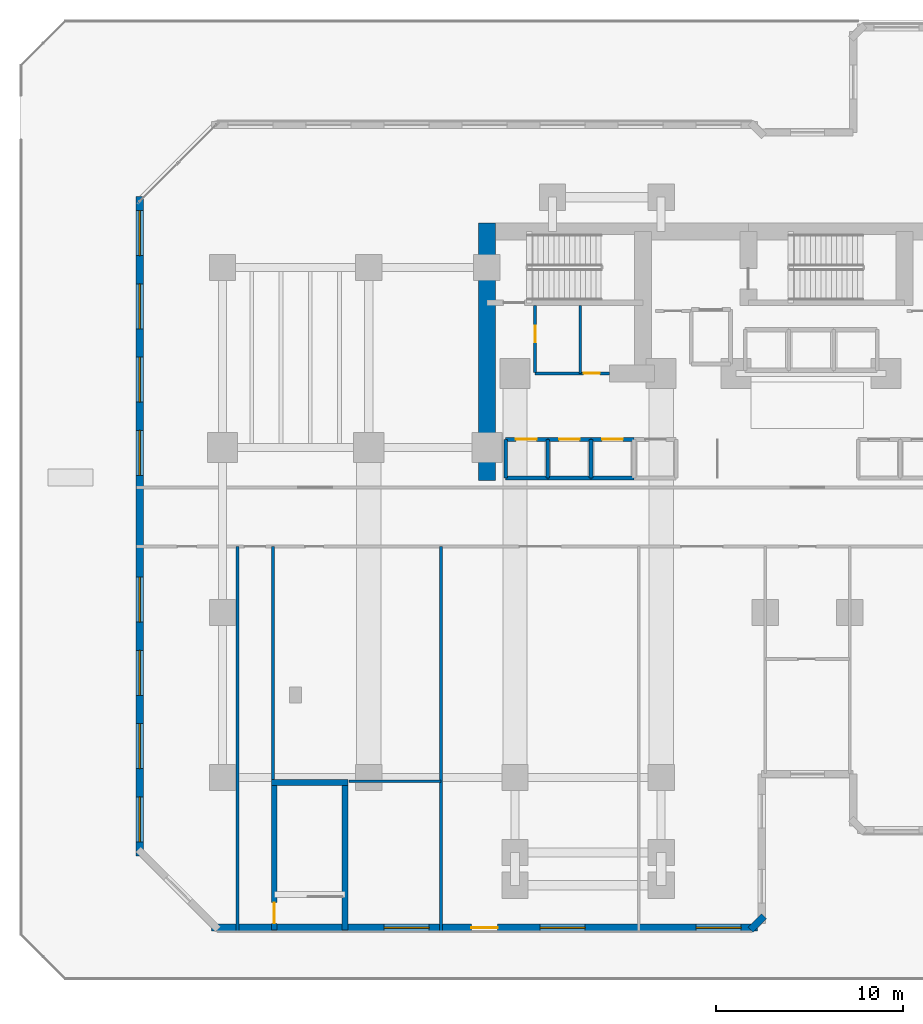
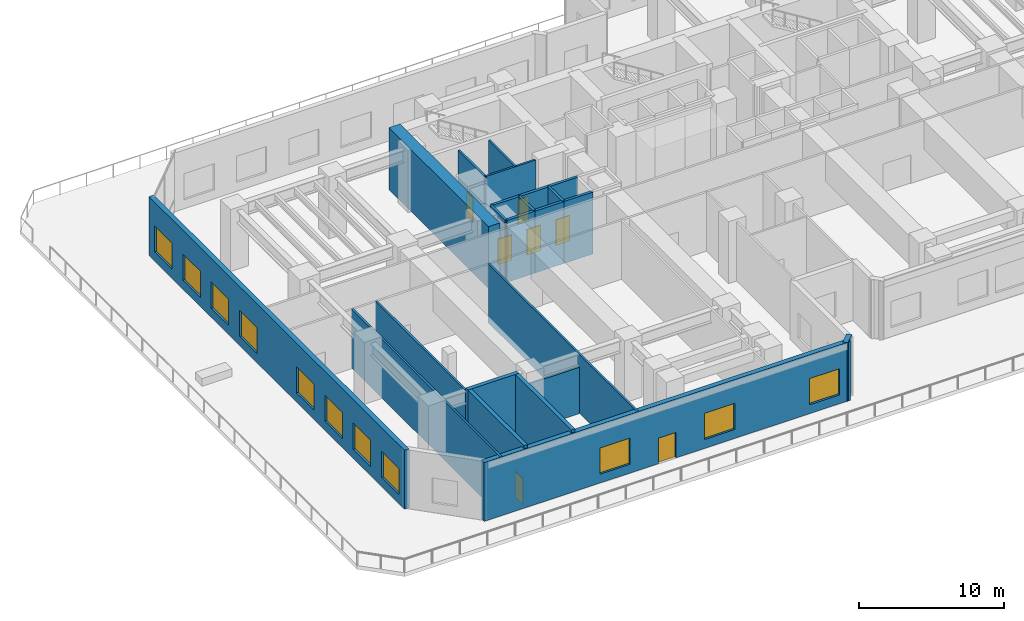
# One storey, part 4 of 13: 23 walls, 11 windows, 7 doors, 18 openings.
"""IFC4 building model written with IfcOpenShell, lengths in metres."""

from ifc_helpers import new_model, si_unit, direction, frame, frame_2d, origin, place, context, subcontext, project, spatial, rectangle, extrude, material, layer, layer_set, type_object, element, fill, save


model = new_model("IFC4")

# Units and contexts
model_context = context("Model", 3, precision=1e-05, world=origin(), true_north=direction((0.0, 1.0)))
body_context = subcontext(model_context, "Body", "Model", "MODEL_VIEW")
ifc_project = project(units=[si_unit("LENGTHUNIT", "METRE"), si_unit("AREAUNIT", "SQUARE_METRE"), si_unit("VOLUMEUNIT", "CUBIC_METRE"), si_unit("PLANEANGLEUNIT", "RADIAN"), si_unit("MASSUNIT", "GRAM", prefix="KILO")], contexts=[model_context])

# Site, building, storey
site_placement = place(None, origin())
site = spatial("IfcSite", under=ifc_project, at=site_placement, CompositionType="ELEMENT")
building_placement = place(site_placement, origin())
building = spatial("IfcBuilding", under=site, at=building_placement, Name="Kestravale Grand Hotel", CompositionType="ELEMENT")
storey_placement = place(building_placement, frame((0.0, 0.0, 20.800048828125)))
storey = spatial("IfcBuildingStorey", under=building, at=storey_placement, Name="L04", CompositionType="ELEMENT", Elevation=20.800048828125)

# Wall
ifc_material_1 = material(Name="Concrete f'c 70 MPa", Category="concrete")
ifc_layer_1 = layer(ifc_material_1, 0.89990234375)
ifc_layer_set_1 = layer_set([ifc_layer_1], Name="EW-CORE-900")
wall_type_1 = type_object("IfcWallType", Name="EW-CORE-900", PredefinedType="SHEAR", material=ifc_layer_set_1)
wall_1_placement = place(storey_placement, frame((21.89990234375, 27.050048828125, 0.0), z_axis=(0.0, 0.0, 1.0), x_axis=(0.0, 1.0, 0.0)))
element("IfcWall", 1, at=wall_1_placement, inside=storey, type_object=wall_type_1, Name="L04 core shear wall W1", PredefinedType="SHEAR", context=body_context, shape_type="SweptSolid", body=[
    extrude(rectangle(XDim=13.719970703125, YDim=0.89990234375, at=frame_2d((6.85986328125, 0.0))), origin(), (0.0, 0.0, 1.0), 5.199951171875),
])

# Wall, openings, door, windows
ifc_material_2 = material(Name="Precast concrete f'c 45 MPa", Category="concrete")
ifc_layer_2 = layer(ifc_material_2, 0.3798828125)
ifc_layer_set_2 = layer_set([ifc_layer_2], Name="EW-POD-380")
wall_type_2 = type_object("IfcWallType", Name="EW-POD-380", PredefinedType="SOLIDWALL", material=ifc_layer_set_2)
wall_2_placement = place(storey_placement, frame((7.2099609375, 3.18994140625, 0.0), z_axis=(0.0, 0.0, 1.0), x_axis=(1.0, 0.0, 0.0)))
wall_2 = element("IfcWall", 2, at=wall_2_placement, inside=storey, type_object=wall_type_2, Name="L04 fluted precast facade wall 1", PredefinedType="SOLIDWALL", context=body_context, shape_type="SweptSolid", body=[
    extrude(rectangle(XDim=29.130126953125, YDim=0.3798828125, at=frame_2d((14.56494140625, 0.0))), origin(), (0.0, 0.0, 1.0), 4.93994140625),
])
opening_1_placement = place(wall_2_placement, frame((13.864990234375, 0.0, 0.0)))
opening_1 = element("IfcOpeningElement", 3, at=opening_1_placement, cuts=wall_2, Name="Opening D-TERR-1400", PredefinedType="OPENING", context=body_context, shape_type="SweptSolid", body=[
    extrude(rectangle(XDim=1.39990234375, YDim=2.14990234375, at=frame_2d((0.699951171875, 1.074951171875))), frame((0.0, 0.199951171875, 0.0), z_axis=(0.0, -1.0, 0.0), x_axis=(1.0, 0.0, 0.0)), (0.0, 0.0, 1.0), 0.39990234375),
])
opening_2_placement = place(wall_2_placement, frame((9.20361328125, 0.0, 0.75)))
opening_2 = element("IfcOpeningElement", 4, at=opening_2_placement, cuts=wall_2, Name="Opening W-POD-2400", PredefinedType="OPENING", context=body_context, shape_type="SweptSolid", body=[
    extrude(rectangle(XDim=2.39990234375, YDim=2.199951171875, at=frame_2d((1.199951171875, 1.10009765625))), frame((0.0, 0.199951171875, 0.0), z_axis=(0.0, -1.0, 0.0), x_axis=(1.0, 0.0, 0.0)), (0.0, 0.0, 1.0), 0.39990234375),
])
opening_3_placement = place(wall_2_placement, frame((17.5263671875, 0.0, 0.75)))
opening_3 = element("IfcOpeningElement", 5, at=opening_3_placement, cuts=wall_2, Name="Opening W-POD-2400", PredefinedType="OPENING", context=body_context, shape_type="SweptSolid", body=[
    extrude(rectangle(XDim=2.39990234375, YDim=2.199951171875, at=frame_2d((1.199951171875, 1.10009765625))), frame((0.0, 0.199951171875, 0.0), z_axis=(0.0, -1.0, 0.0), x_axis=(1.0, 0.0, 0.0)), (0.0, 0.0, 1.0), 0.39990234375),
])
opening_4_placement = place(wall_2_placement, frame((25.849365234375, 0.0, 0.75)))
opening_4 = element("IfcOpeningElement", 6, at=opening_4_placement, cuts=wall_2, Name="Opening W-POD-2400", PredefinedType="OPENING", context=body_context, shape_type="SweptSolid", body=[
    extrude(rectangle(XDim=2.39990234375, YDim=2.199951171875, at=frame_2d((1.199951171875, 1.10009765625))), frame((0.0, 0.199951171875, 0.0), z_axis=(0.0, -1.0, 0.0), x_axis=(1.0, 0.0, 0.0)), (0.0, 0.0, 1.0), 0.39990234375),
])
ifc_material_3 = material(Name="Insulated glazed champagne-bronze aluminium door", Category="aluminium")
door_type_1 = type_object("IfcDoorType", Name="D-TERR-1400", OperationType="NOTDEFINED", PredefinedType="DOOR", material=ifc_material_3)
door_1_placement = place(opening_1_placement, origin())
door_1 = element("IfcDoor", 7, at=door_1_placement, inside=storey, type_object=door_type_1, Name="L04 outdoor garden terrace door", OperationType="DOUBLE_DOOR_SINGLE_SWING", OverallHeight=2.14990234375, OverallWidth=1.39990234375, PredefinedType="DOOR", context=body_context, shape_type="SweptSolid", body=[
    extrude(rectangle(XDim=1.39990234375, YDim=2.14990234375, at=frame_2d((0.699951171875, 1.074951171875))), frame((0.0, 0.02490234375, 0.0), z_axis=(0.0, -1.0, 0.0), x_axis=(1.0, 0.0, 0.0)), (0.0, 0.0, 1.0), 0.050048828125),
])
fill(opening_1, door_1)
ifc_material_4 = material(Name="Insulated low-E double glazing in aluminium frame", Category="aluminium")
window_type = type_object("IfcWindowType", Name="W-POD-2400", PartitioningType="DOUBLE_PANEL_VERTICAL", PredefinedType="WINDOW", material=ifc_material_4)
window_1_placement = place(opening_2_placement, origin())
window_1 = element("IfcWindow", 8, at=window_1_placement, inside=storey, type_object=window_type, Name="L04 exterior window 1.1", OverallHeight=2.199951171875, OverallWidth=2.39990234375, PartitioningType="SINGLE_PANEL", PredefinedType="WINDOW", context=body_context, shape_type="SweptSolid", body=[
    extrude(rectangle(XDim=2.39990234375, YDim=2.199951171875, at=frame_2d((1.199951171875, 1.10009765625))), frame((0.0, 0.030029296875, 0.0), z_axis=(0.0, -1.0, 0.0), x_axis=(1.0, 0.0, 0.0)), (0.0, 0.0, 1.0), 0.06005859375),
])
fill(opening_2, window_1)
window_2_placement = place(opening_3_placement, origin())
window_2 = element("IfcWindow", 9, at=window_2_placement, inside=storey, type_object=window_type, Name="L04 exterior window 1.2", OverallHeight=2.199951171875, OverallWidth=2.39990234375, PartitioningType="SINGLE_PANEL", PredefinedType="WINDOW", context=body_context, shape_type="SweptSolid", body=[
    extrude(rectangle(XDim=2.39990234375, YDim=2.199951171875, at=frame_2d((1.199951171875, 1.10009765625))), frame((0.0, 0.030029296875, 0.0), z_axis=(0.0, -1.0, 0.0), x_axis=(1.0, 0.0, 0.0)), (0.0, 0.0, 1.0), 0.06005859375),
])
fill(opening_3, window_2)
window_3_placement = place(opening_4_placement, origin())
window_3 = element("IfcWindow", 10, at=window_3_placement, inside=storey, type_object=window_type, Name="L04 exterior window 1.3", OverallHeight=2.199951171875, OverallWidth=2.39990234375, PartitioningType="SINGLE_PANEL", PredefinedType="WINDOW", context=body_context, shape_type="SweptSolid", body=[
    extrude(rectangle(XDim=2.39990234375, YDim=2.199951171875, at=frame_2d((1.199951171875, 1.10009765625))), frame((0.0, 0.030029296875, 0.0), z_axis=(0.0, -1.0, 0.0), x_axis=(1.0, 0.0, 0.0)), (0.0, 0.0, 1.0), 0.06005859375),
])
fill(opening_4, window_3)

# Wall
wall_3_placement = place(storey_placement, frame((35.95556640625, 3.07421875, 0.0), z_axis=(0.0, 0.0, 1.0), x_axis=(0.707106781187, 0.707106781187, 0.0)))
element("IfcWall", 11, at=wall_3_placement, inside=storey, type_object=wall_type_2, Name="L04 fluted precast facade wall 2", PredefinedType="SOLIDWALL", context=body_context, shape_type="SweptSolid", body=[
    extrude(rectangle(XDim=1.0185546875, YDim=0.3798828125, at=frame_2d((0.50927734375, 0.0))), origin(), (0.0, 0.0, 1.0), 4.93994140625),
])

# Wall, openings, windows
wall_4_placement = place(storey_placement, frame((3.389892578125, 42.18994140625, 0.0), z_axis=(0.0, 0.0, 1.0), x_axis=(0.0, -1.0, 0.0)))
wall_4 = element("IfcWall", 12, at=wall_4_placement, inside=storey, type_object=wall_type_2, Name="L04 fluted precast facade wall 19", PredefinedType="SOLIDWALL", context=body_context, shape_type="SweptSolid", body=[
    extrude(rectangle(XDim=35.179931640625, YDim=0.3798828125, at=frame_2d((17.58984375, 0.0))), origin(), (0.0, 0.0, 1.0), 4.93994140625),
])
opening_5_placement = place(wall_4_placement, frame((0.75439453125, 0.0, 0.75)))
opening_5 = element("IfcOpeningElement", 13, at=opening_5_placement, cuts=wall_4, Name="Opening W-POD-2400", PredefinedType="OPENING", context=body_context, shape_type="SweptSolid", body=[
    extrude(rectangle(XDim=2.39990234375, YDim=2.199951171875, at=frame_2d((1.199951171875, 1.10009765625))), frame((0.0, 0.199951171875, 0.0), z_axis=(0.0, -1.0, 0.0), x_axis=(1.0, 0.0, 0.0)), (0.0, 0.0, 1.0), 0.39990234375),
])
opening_6_placement = place(wall_4_placement, frame((4.663330078125, 0.0, 0.75)))
opening_6 = element("IfcOpeningElement", 14, at=opening_6_placement, cuts=wall_4, Name="Opening W-POD-2400", PredefinedType="OPENING", context=body_context, shape_type="SweptSolid", body=[
    extrude(rectangle(XDim=2.39990234375, YDim=2.199951171875, at=frame_2d((1.199951171875, 1.10009765625))), frame((0.0, 0.199951171875, 0.0), z_axis=(0.0, -1.0, 0.0), x_axis=(1.0, 0.0, 0.0)), (0.0, 0.0, 1.0), 0.39990234375),
])
opening_7_placement = place(wall_4_placement, frame((8.572265625, 0.0, 0.75)))
opening_7 = element("IfcOpeningElement", 15, at=opening_7_placement, cuts=wall_4, Name="Opening W-POD-2400", PredefinedType="OPENING", context=body_context, shape_type="SweptSolid", body=[
    extrude(rectangle(XDim=2.39990234375, YDim=2.199951171875, at=frame_2d((1.199951171875, 1.10009765625))), frame((0.0, 0.199951171875, 0.0), z_axis=(0.0, -1.0, 0.0), x_axis=(1.0, 0.0, 0.0)), (0.0, 0.0, 1.0), 0.39990234375),
])
opening_8_placement = place(wall_4_placement, frame((12.481201171875, 0.0, 0.75)))
opening_8 = element("IfcOpeningElement", 16, at=opening_8_placement, cuts=wall_4, Name="Opening W-POD-2400", PredefinedType="OPENING", context=body_context, shape_type="SweptSolid", body=[
    extrude(rectangle(XDim=2.39990234375, YDim=2.199951171875, at=frame_2d((1.199951171875, 1.10009765625))), frame((0.0, 0.199951171875, 0.0), z_axis=(0.0, -1.0, 0.0), x_axis=(1.0, 0.0, 0.0)), (0.0, 0.0, 1.0), 0.39990234375),
])
opening_9_placement = place(wall_4_placement, frame((20.298828125, 0.0, 0.75)))
opening_9 = element("IfcOpeningElement", 17, at=opening_9_placement, cuts=wall_4, Name="Opening W-POD-2400", PredefinedType="OPENING", context=body_context, shape_type="SweptSolid", body=[
    extrude(rectangle(XDim=2.39990234375, YDim=2.199951171875, at=frame_2d((1.199951171875, 1.10009765625))), frame((0.0, 0.199951171875, 0.0), z_axis=(0.0, -1.0, 0.0), x_axis=(1.0, 0.0, 0.0)), (0.0, 0.0, 1.0), 0.39990234375),
])
opening_10_placement = place(wall_4_placement, frame((24.207763671875, 0.0, 0.75)))
opening_10 = element("IfcOpeningElement", 18, at=opening_10_placement, cuts=wall_4, Name="Opening W-POD-2400", PredefinedType="OPENING", context=body_context, shape_type="SweptSolid", body=[
    extrude(rectangle(XDim=2.39990234375, YDim=2.199951171875, at=frame_2d((1.199951171875, 1.10009765625))), frame((0.0, 0.199951171875, 0.0), z_axis=(0.0, -1.0, 0.0), x_axis=(1.0, 0.0, 0.0)), (0.0, 0.0, 1.0), 0.39990234375),
])
opening_11_placement = place(wall_4_placement, frame((28.11669921875, 0.0, 0.75)))
opening_11 = element("IfcOpeningElement", 19, at=opening_11_placement, cuts=wall_4, Name="Opening W-POD-2400", PredefinedType="OPENING", context=body_context, shape_type="SweptSolid", body=[
    extrude(rectangle(XDim=2.39990234375, YDim=2.199951171875, at=frame_2d((1.199951171875, 1.10009765625))), frame((0.0, 0.199951171875, 0.0), z_axis=(0.0, -1.0, 0.0), x_axis=(1.0, 0.0, 0.0)), (0.0, 0.0, 1.0), 0.39990234375),
])
opening_12_placement = place(wall_4_placement, frame((32.025634765625, 0.0, 0.75)))
opening_12 = element("IfcOpeningElement", 20, at=opening_12_placement, cuts=wall_4, Name="Opening W-POD-2400", PredefinedType="OPENING", context=body_context, shape_type="SweptSolid", body=[
    extrude(rectangle(XDim=2.39990234375, YDim=2.199951171875, at=frame_2d((1.199951171875, 1.10009765625))), frame((0.0, 0.199951171875, 0.0), z_axis=(0.0, -1.0, 0.0), x_axis=(1.0, 0.0, 0.0)), (0.0, 0.0, 1.0), 0.39990234375),
])
window_4_placement = place(opening_5_placement, origin())
window_4 = element("IfcWindow", 21, at=window_4_placement, inside=storey, type_object=window_type, Name="L04 exterior window 19.1", OverallHeight=2.199951171875, OverallWidth=2.39990234375, PartitioningType="SINGLE_PANEL", PredefinedType="WINDOW", context=body_context, shape_type="SweptSolid", body=[
    extrude(rectangle(XDim=2.39990234375, YDim=2.199951171875, at=frame_2d((1.199951171875, 1.10009765625))), frame((0.0, 0.030029296875, 0.0), z_axis=(0.0, -1.0, 0.0), x_axis=(1.0, 0.0, 0.0)), (0.0, 0.0, 1.0), 0.06005859375),
])
fill(opening_5, window_4)
window_5_placement = place(opening_6_placement, origin())
window_5 = element("IfcWindow", 22, at=window_5_placement, inside=storey, type_object=window_type, Name="L04 exterior window 19.2", OverallHeight=2.199951171875, OverallWidth=2.39990234375, PartitioningType="SINGLE_PANEL", PredefinedType="WINDOW", context=body_context, shape_type="SweptSolid", body=[
    extrude(rectangle(XDim=2.39990234375, YDim=2.199951171875, at=frame_2d((1.199951171875, 1.10009765625))), frame((0.0, 0.030029296875, 0.0), z_axis=(0.0, -1.0, 0.0), x_axis=(1.0, 0.0, 0.0)), (0.0, 0.0, 1.0), 0.06005859375),
])
fill(opening_6, window_5)
window_6_placement = place(opening_7_placement, origin())
window_6 = element("IfcWindow", 23, at=window_6_placement, inside=storey, type_object=window_type, Name="L04 exterior window 19.3", OverallHeight=2.199951171875, OverallWidth=2.39990234375, PartitioningType="SINGLE_PANEL", PredefinedType="WINDOW", context=body_context, shape_type="SweptSolid", body=[
    extrude(rectangle(XDim=2.39990234375, YDim=2.199951171875, at=frame_2d((1.199951171875, 1.10009765625))), frame((0.0, 0.030029296875, 0.0), z_axis=(0.0, -1.0, 0.0), x_axis=(1.0, 0.0, 0.0)), (0.0, 0.0, 1.0), 0.06005859375),
])
fill(opening_7, window_6)
window_7_placement = place(opening_8_placement, origin())
window_7 = element("IfcWindow", 24, at=window_7_placement, inside=storey, type_object=window_type, Name="L04 exterior window 19.4", OverallHeight=2.199951171875, OverallWidth=2.39990234375, PartitioningType="SINGLE_PANEL", PredefinedType="WINDOW", context=body_context, shape_type="SweptSolid", body=[
    extrude(rectangle(XDim=2.39990234375, YDim=2.199951171875, at=frame_2d((1.199951171875, 1.10009765625))), frame((0.0, 0.030029296875, 0.0), z_axis=(0.0, -1.0, 0.0), x_axis=(1.0, 0.0, 0.0)), (0.0, 0.0, 1.0), 0.06005859375),
])
fill(opening_8, window_7)
window_8_placement = place(opening_9_placement, origin())
window_8 = element("IfcWindow", 25, at=window_8_placement, inside=storey, type_object=window_type, Name="L04 exterior window 19.5", OverallHeight=2.199951171875, OverallWidth=2.39990234375, PartitioningType="SINGLE_PANEL", PredefinedType="WINDOW", context=body_context, shape_type="SweptSolid", body=[
    extrude(rectangle(XDim=2.39990234375, YDim=2.199951171875, at=frame_2d((1.199951171875, 1.10009765625))), frame((0.0, 0.030029296875, 0.0), z_axis=(0.0, -1.0, 0.0), x_axis=(1.0, 0.0, 0.0)), (0.0, 0.0, 1.0), 0.06005859375),
])
fill(opening_9, window_8)
window_9_placement = place(opening_10_placement, origin())
window_9 = element("IfcWindow", 26, at=window_9_placement, inside=storey, type_object=window_type, Name="L04 exterior window 19.6", OverallHeight=2.199951171875, OverallWidth=2.39990234375, PartitioningType="SINGLE_PANEL", PredefinedType="WINDOW", context=body_context, shape_type="SweptSolid", body=[
    extrude(rectangle(XDim=2.39990234375, YDim=2.199951171875, at=frame_2d((1.199951171875, 1.10009765625))), frame((0.0, 0.030029296875, 0.0), z_axis=(0.0, -1.0, 0.0), x_axis=(1.0, 0.0, 0.0)), (0.0, 0.0, 1.0), 0.06005859375),
])
fill(opening_10, window_9)
window_10_placement = place(opening_11_placement, origin())
window_10 = element("IfcWindow", 27, at=window_10_placement, inside=storey, type_object=window_type, Name="L04 exterior window 19.7", OverallHeight=2.199951171875, OverallWidth=2.39990234375, PartitioningType="SINGLE_PANEL", PredefinedType="WINDOW", context=body_context, shape_type="SweptSolid", body=[
    extrude(rectangle(XDim=2.39990234375, YDim=2.199951171875, at=frame_2d((1.199951171875, 1.10009765625))), frame((0.0, 0.030029296875, 0.0), z_axis=(0.0, -1.0, 0.0), x_axis=(1.0, 0.0, 0.0)), (0.0, 0.0, 1.0), 0.06005859375),
])
fill(opening_11, window_10)
window_11_placement = place(opening_12_placement, origin())
window_11 = element("IfcWindow", 28, at=window_11_placement, inside=storey, type_object=window_type, Name="L04 exterior window 19.8", OverallHeight=2.199951171875, OverallWidth=2.39990234375, PartitioningType="SINGLE_PANEL", PredefinedType="WINDOW", context=body_context, shape_type="SweptSolid", body=[
    extrude(rectangle(XDim=2.39990234375, YDim=2.199951171875, at=frame_2d((1.199951171875, 1.10009765625))), frame((0.0, 0.030029296875, 0.0), z_axis=(0.0, -1.0, 0.0), x_axis=(1.0, 0.0, 0.0)), (0.0, 0.0, 1.0), 0.06005859375),
])
fill(opening_12, window_11)

# Wall, opening, door
ifc_material_5 = material(Name="Concrete f'c 45 MPa", Category="concrete")
ifc_layer_3 = layer(ifc_material_5, 0.300048828125)
ifc_layer_set_3 = layer_set([ifc_layer_3], Name="EW-STAIR-300")
wall_type_3 = type_object("IfcWallType", Name="EW-STAIR-300", PredefinedType="SHEAR", material=ifc_layer_set_3)
wall_5_placement = place(storey_placement, frame((10.56005859375, 3.070068359375, 0.0), z_axis=(0.0, 0.0, 1.0), x_axis=(0.0, 1.0, 0.0)))
wall_5 = element("IfcWall", 29, at=wall_5_placement, inside=storey, type_object=wall_type_3, Name="L04 stair enclosure shear wall ST4W", PredefinedType="SHEAR", context=body_context, shape_type="SweptSolid", body=[
    extrude(rectangle(XDim=7.85986328125, YDim=0.300048828125, at=frame_2d((3.929931640625, 0.0))), origin(), (0.0, 0.0, 1.0), 5.199951171875),
])
opening_13_placement = place(wall_5_placement, frame((0.35009765625, 0.0, 0.0)))
opening_13 = element("IfcOpeningElement", 30, at=opening_13_placement, cuts=wall_5, Name="Opening D-ST-1100", PredefinedType="OPENING", context=body_context, shape_type="SweptSolid", body=[
    extrude(rectangle(XDim=1.10009765625, YDim=2.14990234375, at=frame_2d((0.550048828125, 1.074951171875))), frame((0.0, 0.159912109375, 0.0), z_axis=(0.0, -1.0, 0.0), x_axis=(1.0, 0.0, 0.0)), (0.0, 0.0, 1.0), 0.320068359375),
])
ifc_material_6 = material(Name="Galvanised 90-minute fire-rated steel stair door", Category="steel")
door_type_2 = type_object("IfcDoorType", Name="D-ST-1100", OperationType="NOTDEFINED", PredefinedType="DOOR", material=ifc_material_6)
door_2_placement = place(opening_13_placement, origin())
door_2 = element("IfcDoor", 31, at=door_2_placement, inside=storey, type_object=door_type_2, Name="L04 Stair ST-4 fire door", OperationType="SINGLE_SWING_LEFT", OverallHeight=2.14990234375, OverallWidth=1.10009765625, PredefinedType="DOOR", context=body_context, shape_type="SweptSolid", body=[
    extrude(rectangle(XDim=1.10009765625, YDim=2.14990234375, at=frame_2d((0.550048828125, 1.074951171875))), frame((0.0, 0.02490234375, 0.0), z_axis=(0.0, -1.0, 0.0), x_axis=(1.0, 0.0, 0.0)), (0.0, 0.0, 1.0), 0.050048828125),
])
fill(opening_13, door_2)

# Walls
wall_6_placement = place(storey_placement, frame((14.330078125, 3.070068359375, 0.0), z_axis=(0.0, 0.0, 1.0), x_axis=(0.0, 1.0, 0.0)))
element("IfcWall", 32, at=wall_6_placement, inside=storey, type_object=wall_type_3, Name="L04 stair enclosure shear wall ST4E", PredefinedType="SHEAR", context=body_context, shape_type="SweptSolid", body=[
    extrude(rectangle(XDim=7.85986328125, YDim=0.300048828125, at=frame_2d((3.929931640625, 0.0))), origin(), (0.0, 0.0, 1.0), 5.199951171875),
])
wall_7_placement = place(storey_placement, frame((10.409912109375, 10.929931640625, 0.0), z_axis=(0.0, 0.0, 1.0), x_axis=(1.0, 0.0, 0.0)))
element("IfcWall", 33, at=wall_7_placement, inside=storey, type_object=wall_type_3, Name="L04 stair enclosure shear wall ST4N", PredefinedType="SHEAR", context=body_context, shape_type="SweptSolid", body=[
    extrude(rectangle(XDim=4.070068359375, YDim=0.300048828125, at=frame_2d((2.03515625, 0.0))), origin(), (0.0, 0.0, 1.0), 5.199951171875),
])

# Wall, opening, door
ifc_material_7 = material(Name="Acoustic fire-rated gypsum board partition", Category="other")
ifc_layer_4 = layer(ifc_material_7, 0.159912109375)
ifc_layer_set_4 = layer_set([ifc_layer_4], Name="IW-CORR-160")
wall_type_4 = type_object("IfcWallType", Name="IW-CORR-160", PredefinedType="PARTITIONING", material=ifc_layer_set_4)
wall_8_placement = place(storey_placement, frame((24.47998046875, 32.800048828125, 0.0), z_axis=(0.0, 0.0, 1.0), x_axis=(0.0, 1.0, 0.0)))
wall_8 = element("IfcWall", 34, at=wall_8_placement, inside=storey, type_object=wall_type_4, Name="L04 west core vestibule wall", PredefinedType="PARTITIONING", context=body_context, shape_type="SweptSolid", body=[
    extrude(rectangle(XDim=3.570068359375, YDim=0.159912109375, at=frame_2d((1.78515625, 0.0))), origin(), (0.0, 0.0, 1.0), 4.93994140625),
])
opening_14_placement = place(wall_8_placement, frame((1.603515625, 0.0, 0.0)))
opening_14 = element("IfcOpeningElement", 35, at=opening_14_placement, cuts=wall_8, Name="Opening D-SH-900", PredefinedType="OPENING", context=body_context, shape_type="SweptSolid", body=[
    extrude(rectangle(XDim=0.89990234375, YDim=2.10009765625, at=frame_2d((0.449951171875, 1.050048828125))), frame((0.0, 0.08984375, 0.0), z_axis=(0.0, -1.0, 0.0), x_axis=(1.0, 0.0, 0.0)), (0.0, 0.0, 1.0), 0.179931640625),
])
ifc_material_8 = material(Name="Galvanised 90-minute shaft and service fire door", Category="steel")
door_type_3 = type_object("IfcDoorType", Name="D-SH-900", OperationType="NOTDEFINED", PredefinedType="DOOR", material=ifc_material_8)
door_3_placement = place(opening_14_placement, origin())
door_3 = element("IfcDoor", 36, at=door_3_placement, inside=storey, type_object=door_type_3, Name="D-L04-HK", OperationType="SINGLE_SWING_RIGHT", OverallHeight=2.10009765625, OverallWidth=0.89990234375, PredefinedType="DOOR", context=body_context, shape_type="SweptSolid", body=[
    extrude(rectangle(XDim=0.89990234375, YDim=2.10009765625, at=frame_2d((0.449951171875, 1.050048828125))), frame((0.0, 0.02490234375, 0.0), z_axis=(0.0, -1.0, 0.0), x_axis=(1.0, 0.0, 0.0)), (0.0, 0.0, 1.0), 0.050048828125),
])
fill(opening_14, door_3)

wall_9_placement = place(storey_placement, frame((24.47998046875, 32.75, 0.0), z_axis=(0.0, 0.0, 1.0), x_axis=(1.0, 0.0, 0.0)))
wall_9 = element("IfcWall", 37, at=wall_9_placement, inside=storey, type_object=wall_type_4, Name="W-L04-CWS", PredefinedType="PARTITIONING", context=body_context, shape_type="SweptSolid", body=[
    extrude(rectangle(XDim=3.969970703125, YDim=0.159912109375, at=frame_2d((1.98486328125, 0.0))), origin(), (0.0, 0.0, 1.0), 4.93994140625),
])
opening_15_placement = place(wall_9_placement, frame((2.5849609375, 0.0, 0.0)))
opening_15 = element("IfcOpeningElement", 38, at=opening_15_placement, cuts=wall_9, Name="Opening D-SH-860", PredefinedType="OPENING", context=body_context, shape_type="SweptSolid", body=[
    extrude(rectangle(XDim=0.860107421875, YDim=2.050048828125, at=frame_2d((0.43017578125, 1.02490234375))), frame((0.0, 0.08984375, 0.0), z_axis=(0.0, -1.0, 0.0), x_axis=(1.0, 0.0, 0.0)), (0.0, 0.0, 1.0), 0.179931640625),
])
ifc_material_9 = material(Name="Galvanised 90-minute riser fire door", Category="steel")
door_type_4 = type_object("IfcDoorType", Name="D-SH-860", OperationType="NOTDEFINED", PredefinedType="DOOR", material=ifc_material_9)
door_4_placement = place(opening_15_placement, origin())
door_4 = element("IfcDoor", 39, at=door_4_placement, inside=storey, type_object=door_type_4, Name="D-L04-ELEC", OperationType="SINGLE_SWING_RIGHT", OverallHeight=2.050048828125, OverallWidth=0.860107421875, PredefinedType="DOOR", context=body_context, shape_type="SweptSolid", body=[
    extrude(rectangle(XDim=0.860107421875, YDim=2.050048828125, at=frame_2d((0.43017578125, 1.02490234375))), frame((0.0, 0.02490234375, 0.0), z_axis=(0.0, -1.0, 0.0), x_axis=(1.0, 0.0, 0.0)), (0.0, 0.0, 1.0), 0.050048828125),
])
fill(opening_15, door_4)

# Walls
wall_10_placement = place(storey_placement, frame((8.60009765625, 3.02001953125, 0.0), z_axis=(0.0, 0.0, 1.0), x_axis=(0.0, 1.0, 0.0)))
element("IfcWall", 40, at=wall_10_placement, inside=storey, type_object=wall_type_4, Name="W-L04-ST4C-W", PredefinedType="PARTITIONING", context=body_context, shape_type="SweptSolid", body=[
    extrude(rectangle(XDim=20.5, YDim=0.159912109375, at=frame_2d((10.25, 0.0))), origin(), (0.0, 0.0, 1.0), 4.93994140625),
])
wall_11_placement = place(storey_placement, frame((10.5, 10.949951171875, 0.0), z_axis=(0.0, 0.0, 1.0), x_axis=(0.0, 1.0, 0.0)))
element("IfcWall", 41, at=wall_11_placement, inside=storey, type_object=wall_type_4, Name="W-L04-ST4C-E", PredefinedType="PARTITIONING", context=body_context, shape_type="SweptSolid", body=[
    extrude(rectangle(XDim=12.570068359375, YDim=0.159912109375, at=frame_2d((6.28515625, 0.0))), origin(), (0.0, 0.0, 1.0), 4.93994140625),
])
ifc_material_10 = material(Name="Concrete f'c 45 MPa", Category="concrete")
ifc_layer_5 = layer(ifc_material_10, 0.199951171875)
ifc_layer_set_5 = layer_set([ifc_layer_5], Name="IW-SHAFT-200")
wall_type_5 = type_object("IfcWallType", Name="IW-SHAFT-200", PredefinedType="SHEAR", material=ifc_layer_set_5)
for number, where, z_axis, x_axis, name in (
    (42, (22.905029296875, 27.169921875, 0.0), (0.0, 0.0, 1.0), (0.0, 1.0, 0.0), "L04 PL-L1 west shaft wall"),
    (43, (25.14990234375, 27.169921875, 0.0), (0.0, 0.0, 1.0), (0.0, 1.0, 0.0), "L04 PL-L2 west shaft wall"),
    (44, (27.449951171875, 27.169921875, 0.0), (0.0, 0.0, 1.0), (0.0, 1.0, 0.0), "L04 PL-L3 west shaft wall"),
):
    element("IfcWall", number, at=place(storey_placement, frame(where, z_axis=z_axis, x_axis=x_axis)), inside=storey, type_object=wall_type_5, Name=name, PredefinedType="SHEAR", context=body_context, shape_type="SweptSolid", body=[
        extrude(rectangle(XDim=2.06005859375, YDim=0.199951171875, at=frame_2d((1.030029296875, 0.0))), origin(), (0.0, 0.0, 1.0), 5.199951171875),
    ])

# Wall, opening, door
ifc_material_11 = material(Name="Concrete f'c 45 MPa", Category="concrete")
ifc_layer_6 = layer(ifc_material_11, 0.219970703125)
ifc_layer_set_6 = layer_set([ifc_layer_6], Name="IW-SHAFT-220")
wall_type_6 = type_object("IfcWallType", Name="IW-SHAFT-220", PredefinedType="SHEAR", material=ifc_layer_set_6)
wall_12_placement = place(storey_placement, frame((22.905029296875, 29.22998046875, 0.0), z_axis=(0.0, 0.0, 1.0), x_axis=(1.0, 0.0, 0.0)))
wall_12 = element("IfcWall", 45, at=wall_12_placement, inside=storey, type_object=wall_type_6, Name="L04 PL-L1 north shaft wall", PredefinedType="SHEAR", context=body_context, shape_type="SweptSolid", body=[
    extrude(rectangle(XDim=2.244873046875, YDim=0.219970703125, at=frame_2d((1.12255859375, 0.0))), origin(), (0.0, 0.0, 1.0), 5.199951171875),
])
opening_16_placement = place(wall_12_placement, frame((0.544921875, 0.0, 0.0)))
opening_16 = element("IfcOpeningElement", 46, at=opening_16_placement, cuts=wall_12, Name="Opening LD-PAX-1100", PredefinedType="OPENING", context=body_context, shape_type="SweptSolid", body=[
    extrude(rectangle(XDim=1.10009765625, YDim=2.14990234375, at=frame_2d((0.550048828125, 1.074951171875))), frame((0.0, 0.119873046875, 0.0), z_axis=(0.0, -1.0, 0.0), x_axis=(1.0, 0.0, 0.0)), (0.0, 0.0, 1.0), 0.239990234375),
])
ifc_material_12 = material(Name="Champagne-bronze center-opening sliding elevator landing door", Category="steel")
door_type_5 = type_object("IfcDoorType", Name="LD-PAX-1100", OperationType="NOTDEFINED", PredefinedType="DOOR", material=ifc_material_12)
door_5_placement = place(opening_16_placement, origin())
door_5 = element("IfcDoor", 47, at=door_5_placement, inside=storey, type_object=door_type_5, Name="L04 PL-L1 elevator landing sliding door", OperationType="DOUBLE_DOOR_SLIDING", OverallHeight=2.14990234375, OverallWidth=1.10009765625, PredefinedType="DOOR", context=body_context, shape_type="SweptSolid", body=[
    extrude(rectangle(XDim=1.10009765625, YDim=2.14990234375, at=frame_2d((0.550048828125, 1.074951171875))), frame((0.0, 0.02490234375, 0.0), z_axis=(0.0, -1.0, 0.0), x_axis=(1.0, 0.0, 0.0)), (0.0, 0.0, 1.0), 0.050048828125),
])
fill(opening_16, door_5)

# Wall
wall_13_placement = place(storey_placement, frame((22.905029296875, 27.169921875, 0.0), z_axis=(0.0, 0.0, 1.0), x_axis=(1.0, 0.0, 0.0)))
element("IfcWall", 48, at=wall_13_placement, inside=storey, type_object=wall_type_6, Name="L04 PL-L1 south shaft wall", PredefinedType="SHEAR", context=body_context, shape_type="SweptSolid", body=[
    extrude(rectangle(XDim=2.244873046875, YDim=0.219970703125, at=frame_2d((1.12255859375, 0.0))), origin(), (0.0, 0.0, 1.0), 5.199951171875),
])

# Wall, opening, door
wall_14_placement = place(storey_placement, frame((25.14990234375, 29.22998046875, 0.0), z_axis=(0.0, 0.0, 1.0), x_axis=(1.0, 0.0, 0.0)))
wall_14 = element("IfcWall", 49, at=wall_14_placement, inside=storey, type_object=wall_type_6, Name="L04 PL-L2 north shaft wall", PredefinedType="SHEAR", context=body_context, shape_type="SweptSolid", body=[
    extrude(rectangle(XDim=2.300048828125, YDim=0.219970703125, at=frame_2d((1.14990234375, 0.0))), origin(), (0.0, 0.0, 1.0), 5.199951171875),
])
opening_17_placement = place(wall_14_placement, frame((0.60009765625, 0.0, 0.0)))
opening_17 = element("IfcOpeningElement", 50, at=opening_17_placement, cuts=wall_14, Name="Opening LD-PAX-1100", PredefinedType="OPENING", context=body_context, shape_type="SweptSolid", body=[
    extrude(rectangle(XDim=1.10009765625, YDim=2.14990234375, at=frame_2d((0.550048828125, 1.074951171875))), frame((0.0, 0.119873046875, 0.0), z_axis=(0.0, -1.0, 0.0), x_axis=(1.0, 0.0, 0.0)), (0.0, 0.0, 1.0), 0.239990234375),
])
door_6_placement = place(opening_17_placement, origin())
door_6 = element("IfcDoor", 51, at=door_6_placement, inside=storey, type_object=door_type_5, Name="L04 PL-L2 elevator landing sliding door", OperationType="DOUBLE_DOOR_SLIDING", OverallHeight=2.14990234375, OverallWidth=1.10009765625, PredefinedType="DOOR", context=body_context, shape_type="SweptSolid", body=[
    extrude(rectangle(XDim=1.10009765625, YDim=2.14990234375, at=frame_2d((0.550048828125, 1.074951171875))), frame((0.0, 0.02490234375, 0.0), z_axis=(0.0, -1.0, 0.0), x_axis=(1.0, 0.0, 0.0)), (0.0, 0.0, 1.0), 0.050048828125),
])
fill(opening_17, door_6)

# Wall
wall_15_placement = place(storey_placement, frame((25.14990234375, 27.169921875, 0.0), z_axis=(0.0, 0.0, 1.0), x_axis=(1.0, 0.0, 0.0)))
element("IfcWall", 52, at=wall_15_placement, inside=storey, type_object=wall_type_6, Name="L04 PL-L2 south shaft wall", PredefinedType="SHEAR", context=body_context, shape_type="SweptSolid", body=[
    extrude(rectangle(XDim=2.300048828125, YDim=0.219970703125, at=frame_2d((1.14990234375, 0.0))), origin(), (0.0, 0.0, 1.0), 5.199951171875),
])

# Wall, opening, door
wall_16_placement = place(storey_placement, frame((27.449951171875, 29.22998046875, 0.0), z_axis=(0.0, 0.0, 1.0), x_axis=(1.0, 0.0, 0.0)))
wall_16 = element("IfcWall", 53, at=wall_16_placement, inside=storey, type_object=wall_type_6, Name="L04 PL-L3 north shaft wall", PredefinedType="SHEAR", context=body_context, shape_type="SweptSolid", body=[
    extrude(rectangle(XDim=2.300048828125, YDim=0.219970703125, at=frame_2d((1.14990234375, 0.0))), origin(), (0.0, 0.0, 1.0), 5.199951171875),
])
opening_18_placement = place(wall_16_placement, frame((0.60009765625, 0.0, 0.0)))
opening_18 = element("IfcOpeningElement", 54, at=opening_18_placement, cuts=wall_16, Name="Opening LD-PAX-1100", PredefinedType="OPENING", context=body_context, shape_type="SweptSolid", body=[
    extrude(rectangle(XDim=1.10009765625, YDim=2.14990234375, at=frame_2d((0.550048828125, 1.074951171875))), frame((0.0, 0.119873046875, 0.0), z_axis=(0.0, -1.0, 0.0), x_axis=(1.0, 0.0, 0.0)), (0.0, 0.0, 1.0), 0.239990234375),
])
door_7_placement = place(opening_18_placement, origin())
door_7 = element("IfcDoor", 55, at=door_7_placement, inside=storey, type_object=door_type_5, Name="L04 PL-L3 elevator landing sliding door", OperationType="DOUBLE_DOOR_SLIDING", OverallHeight=2.14990234375, OverallWidth=1.10009765625, PredefinedType="DOOR", context=body_context, shape_type="SweptSolid", body=[
    extrude(rectangle(XDim=1.10009765625, YDim=2.14990234375, at=frame_2d((0.550048828125, 1.074951171875))), frame((0.0, 0.02490234375, 0.0), z_axis=(0.0, -1.0, 0.0), x_axis=(1.0, 0.0, 0.0)), (0.0, 0.0, 1.0), 0.050048828125),
])
fill(opening_18, door_7)

# Walls
wall_17_placement = place(storey_placement, frame((27.449951171875, 27.169921875, 0.0), z_axis=(0.0, 0.0, 1.0), x_axis=(1.0, 0.0, 0.0)))
element("IfcWall", 56, at=wall_17_placement, inside=storey, type_object=wall_type_6, Name="L04 PL-L3 south shaft wall", PredefinedType="SHEAR", context=body_context, shape_type="SweptSolid", body=[
    extrude(rectangle(XDim=2.300048828125, YDim=0.219970703125, at=frame_2d((1.14990234375, 0.0))), origin(), (0.0, 0.0, 1.0), 5.199951171875),
])
ifc_material_13 = material(Name="Double-stud STC 52 acoustic demising partition", Category="other")
ifc_layer_7 = layer(ifc_material_13, 0.14990234375)
ifc_layer_set_7 = layer_set([ifc_layer_7], Name="IW-UNIT-150")
wall_type_7 = type_object("IfcWallType", Name="IW-UNIT-150", PredefinedType="PARTITIONING", material=ifc_layer_set_7)
wall_18_placement = place(storey_placement, frame((26.8798828125, 32.75, 0.0), z_axis=(0.0, 0.0, 1.0), x_axis=(0.0, 1.0, 0.0)))
element("IfcWall", 57, at=wall_18_placement, inside=storey, type_object=wall_type_7, Name="W-L04-CC0-1", PredefinedType="PARTITIONING", context=body_context, shape_type="SweptSolid", body=[
    extrude(rectangle(XDim=3.6201171875, YDim=0.14990234375, at=frame_2d((1.81005859375, 0.0))), origin(), (0.0, 0.0, 1.0), 4.93994140625),
])
wall_19_placement = place(storey_placement, frame((14.550048828125, 11.0, 0.0), z_axis=(0.0, 0.0, 1.0), x_axis=(1.0, 0.0, 0.0)))
element("IfcWall", 58, at=wall_19_placement, inside=storey, type_object=wall_type_7, Name="W-L04-MTG-S", PredefinedType="PARTITIONING", context=body_context, shape_type="SweptSolid", body=[
    extrude(rectangle(XDim=4.89990234375, YDim=0.14990234375, at=frame_2d((2.449951171875, 0.0))), origin(), (0.0, 0.0, 1.0), 3.89990234375),
])
wall_20_placement = place(storey_placement, frame((19.449951171875, 3.02001953125, 0.0), z_axis=(0.0, 0.0, 1.0), x_axis=(0.0, 1.0, 0.0)))
element("IfcWall", 59, at=wall_20_placement, inside=storey, type_object=wall_type_7, Name="W-L04-MTG-E", PredefinedType="PARTITIONING", context=body_context, shape_type="SweptSolid", body=[
    extrude(rectangle(XDim=20.5, YDim=0.14990234375, at=frame_2d((10.25, 0.0))), origin(), (0.0, 0.0, 1.0), 4.93994140625),
])

save(model, "model.ifc")
